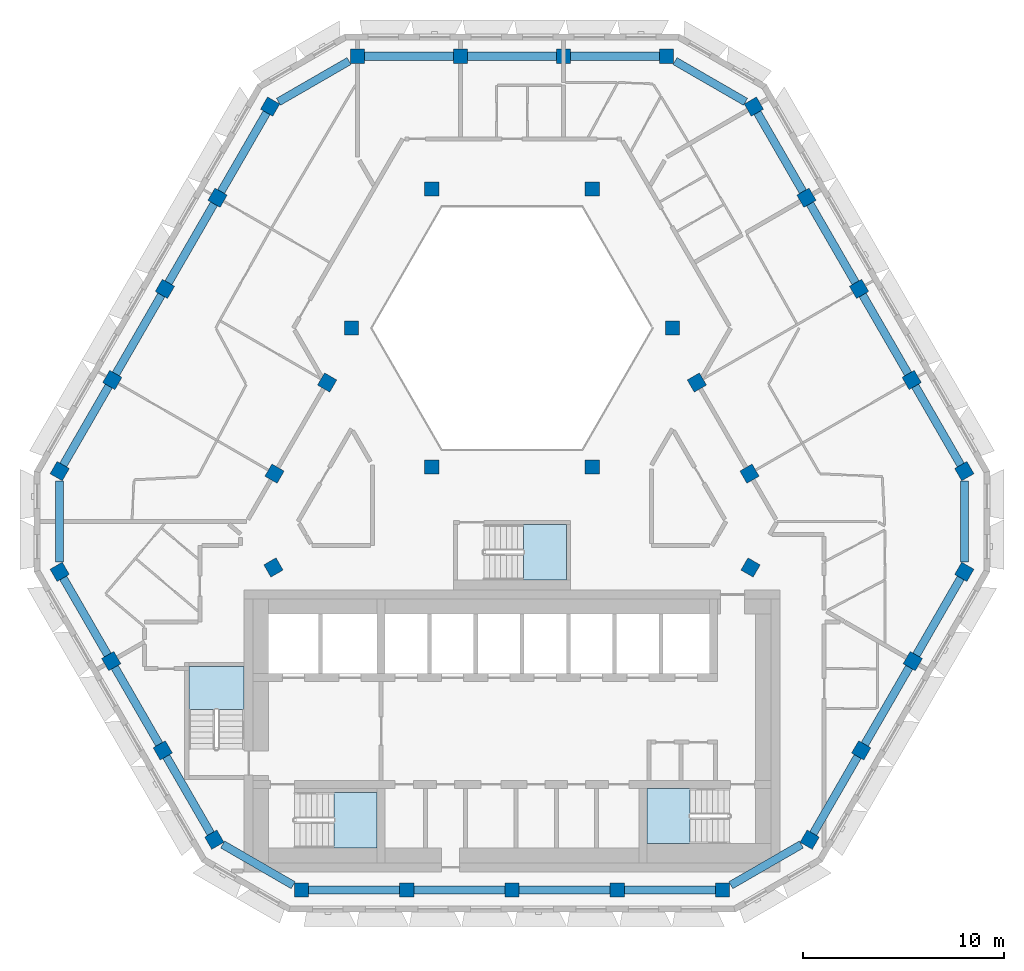
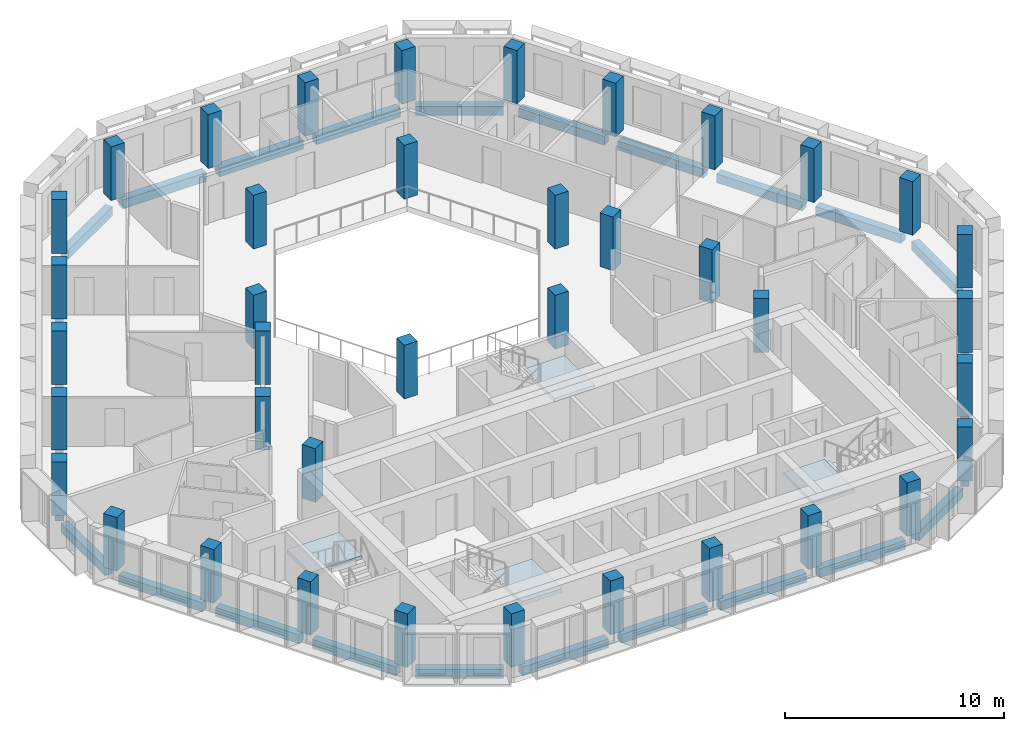
# One storey, part 1 of 16: 39 columns, 27 beams, 4 slabs, 4 elements without a shape of their own.
"""IFC4 building model written with IfcOpenShell, lengths in metres."""

from ifc_helpers import new_model, si_unit, direction, frame, origin, origin_2d, place, context, subcontext, project, spatial, polyline, rectangle, outline, extrude, material, layer, layer_set, material_profile, profile_set, type_object, element, aggregate, save


model = new_model("IFC4")

# Units and contexts
model_context = context("Model", 3, precision=1e-05, world=origin(), true_north=direction((0.0, 1.0)))
body_context = subcontext(model_context, "Body", "Model", "MODEL_VIEW")
ifc_project = project(units=[si_unit("LENGTHUNIT", "METRE"), si_unit("AREAUNIT", "SQUARE_METRE"), si_unit("VOLUMEUNIT", "CUBIC_METRE"), si_unit("PLANEANGLEUNIT", "RADIAN"), si_unit("MASSUNIT", "GRAM", prefix="KILO")], contexts=[model_context])

# Site, building, storey
site_placement = place(None, origin())
site = spatial("IfcSite", under=ifc_project, at=site_placement, CompositionType="ELEMENT")
building_placement = place(site_placement, origin())
building = spatial("IfcBuilding", under=site, at=building_placement, Name="Beryl Residences", CompositionType="ELEMENT")
storey_placement = place(building_placement, frame((0.0, 0.0, 226.800048828125)))
storey = spatial("IfcBuildingStorey", under=building, at=storey_placement, Name="L70", CompositionType="ELEMENT", Elevation=226.800048828125)

# Columns
ifc_material_1 = material(Name="Concrete C50/60", Category="concrete")
ifc_material_profile_1 = material_profile(ifc_material_1, rectangle(XDim=0.699951171875, YDim=0.699951171875, at=origin_2d()))
ifc_profile_set_1 = profile_set([ifc_material_profile_1], Name="Concrete C50/60")
column_type_1 = type_object("IfcColumnType", Name="C5 tube column 700 x 700 C50/60", PredefinedType="COLUMN", material=ifc_profile_set_1)
for number, where, z_axis, x_axis, name in (
    (1, (7.678955078125, 21.5, 0.0), (0.0, 0.0, 1.0), (-1.0, 0.0, 0.0), "C5-N1 L70"),
    (2, (2.56005859375, 21.5, 0.0), (0.0, 0.0, 1.0), (-1.0, 0.0, 0.0), "C5-N2 L70"),
    (3, (-2.55908203125, 21.5, 0.0), (0.0, 0.0, 1.0), (-1.0, 0.0, 0.0), "C5-N3 L70"),
    (4, (-7.677978515625, 21.5, 0.0), (0.0, 0.0, 1.0), (-1.0, 0.0, 0.0), "C5-N4 L70"),
    (5, (-12.009033203125, 19.0, 0.0), (0.0, 0.0, 1.0), (-0.499969769706, -0.866042856549, 0.0), "C5-NW1 L70"),
    (6, (-14.62109375, 14.47509765625, 0.0), (0.0, 0.0, 1.0), (-0.499969769706, -0.866042856549, 0.0), "C5-NW2 L70"),
    (7, (-17.23291015625, 9.949951171875, 0.0), (0.0, 0.0, 1.0), (-0.499969769706, -0.866042856549, 0.0), "C5-NW3 L70"),
    (8, (-19.845947265625, 5.425048828125, 0.0), (0.0, 0.0, 1.0), (-0.499969769706, -0.866042856549, 0.0), "C5-NW4 L70"),
    (9, (-22.4580078125, 0.89990234375, 0.0), (0.0, 0.0, 1.0), (-0.499969769706, -0.866042856549, 0.0), "C5-NW5 L70"),
    (10, (-22.458984375, -4.10009765625, 0.0), (0.0, 0.0, 1.0), (0.499984884929, -0.866034130299, 0.0), "C5-SW1 L70"),
    (11, (-19.89892578125, -8.532958984375, 0.0), (0.0, 0.0, 1.0), (0.499984884929, -0.866034130299, 0.0), "C5-SW2 L70"),
    (12, (-17.340087890625, -12.966064453125, 0.0), (0.0, 0.0, 1.0), (0.499984884929, -0.866034130299, 0.0), "C5-SW3 L70"),
    (13, (-14.781005859375, -17.39892578125, 0.0), (0.0, 0.0, 1.0), (0.499984884929, -0.866034130299, 0.0), "C5-SW4 L70"),
    (14, (-10.449951171875, -19.89990234375, 0.0), (0.0, 0.0, 1.0), (1.0, 0.0, 0.0), "C5-S1 L70"),
    (15, (-5.22509765625, -19.89990234375, 0.0), (0.0, 0.0, 1.0), (1.0, 0.0, 0.0), "C5-S2 L70"),
    (16, (0.0, -19.89990234375, 0.0), (0.0, 0.0, 1.0), (1.0, 0.0, 0.0), "C5-S3 L70"),
    (17, (5.22509765625, -19.89990234375, 0.0), (0.0, 0.0, 1.0), (1.0, 0.0, 0.0), "C5-S4 L70"),
    (18, (10.449951171875, -19.89990234375, 0.0), (0.0, 0.0, 1.0), (1.0, 0.0, 0.0), "C5-S5 L70"),
    (19, (14.780029296875, -17.39990234375, 0.0), (0.0, 0.0, 1.0), (0.499984884929, 0.866034130299, 0.0), "C5-SE1 L70"),
    (20, (17.339111328125, -12.967041015625, 0.0), (0.0, 0.0, 1.0), (0.499984884929, 0.866034130299, 0.0), "C5-SE2 L70"),
    (21, (19.89892578125, -8.533935546875, 0.0), (0.0, 0.0, 1.0), (0.499984884929, 0.866034130299, 0.0), "C5-SE3 L70"),
    (22, (22.4580078125, -4.10107421875, 0.0), (0.0, 0.0, 1.0), (0.499984884929, 0.866034130299, 0.0), "C5-SE4 L70"),
    (23, (22.4580078125, 0.89990234375, 0.0), (0.0, 0.0, 1.0), (-0.499969769706, 0.866042856549, 0.0), "C5-NE1 L70"),
    (24, (19.845947265625, 5.425048828125, 0.0), (0.0, 0.0, 1.0), (-0.499969769706, 0.866042856549, 0.0), "C5-NE2 L70"),
    (25, (17.23291015625, 9.949951171875, 0.0), (0.0, 0.0, 1.0), (-0.499969769706, 0.866042856549, 0.0), "C5-NE3 L70"),
    (26, (14.62109375, 14.47509765625, 0.0), (0.0, 0.0, 1.0), (-0.499969769706, 0.866042856549, 0.0), "C5-NE4 L70"),
    (27, (12.009033203125, 19.0, 0.0), (0.0, 0.0, 1.0), (-0.499969769706, 0.866042856549, 0.0), "C5-NE5 L70"),
):
    element("IfcColumn", number, at=place(storey_placement, frame(where, z_axis=z_axis, x_axis=x_axis)), inside=storey, type_object=column_type_1, Name=name, PredefinedType="COLUMN", context=body_context, shape_type="SweptSolid", body=[
        extrude(rectangle(XDim=0.699951171875, YDim=0.699951171875, at=origin_2d()), origin(), (0.0, 0.0, 1.0), 3.0),
    ])
ifc_material_2 = material(Name="Concrete C50/60", Category="concrete")
ifc_material_profile_2 = material_profile(ifc_material_2, rectangle(XDim=0.699951171875, YDim=0.699951171875, at=origin_2d()))
ifc_profile_set_2 = profile_set([ifc_material_profile_2], Name="Concrete C50/60")
column_type_2 = type_object("IfcColumnType", Name="IC5 interior column 700 x 700 C50/60", PredefinedType="COLUMN", material=ifc_profile_set_2)
for number, where, z_axis, x_axis, name in (
    (28, (-11.844970703125, -3.883056640625, 0.0), (0.0, 0.0, 1.0), (0.499984884929, -0.866034130299, 0.0), "IC5-M01 L70"),
    (29, (11.844970703125, -3.884033203125, 0.0), (0.0, 0.0, 1.0), (0.499984884929, 0.866034130299, 0.0), "IC5-M02 L70"),
    (30, (11.7919921875, 0.77490234375, 0.0), (0.0, 0.0, 1.0), (-0.499969769706, 0.866042856549, 0.0), "IC5-M03 L70"),
    (31, (3.98388671875, 1.10009765625, 0.0), (0.0, 0.0, 1.0), (1.0, 0.0, 0.0), "IC5-A04 L70"),
    (32, (9.178955078125, 5.300048828125, 0.0), (0.0, 0.0, 1.0), (-0.499969769706, 0.866042856549, 0.0), "IC5-M05 L70"),
    (33, (7.967041015625, 8.0, 0.0), (0.0, 0.0, 1.0), (1.0, 0.0, 0.0), "IC5-A06 L70"),
    (34, (3.98388671875, 14.89990234375, 0.0), (0.0, 0.0, 1.0), (1.0, 0.0, 0.0), "IC5-A07 L70"),
    (35, (-3.98388671875, 14.89990234375, 0.0), (0.0, 0.0, 1.0), (1.0, 0.0, 0.0), "IC5-A08 L70"),
    (36, (-7.967041015625, 8.0, 0.0), (0.0, 0.0, 1.0), (1.0, 0.0, 0.0), "IC5-A09 L70"),
    (37, (-9.178955078125, 5.300048828125, 0.0), (0.0, 0.0, 1.0), (-0.499969769706, -0.866042856549, 0.0), "IC5-M10 L70"),
    (38, (-3.98388671875, 1.10009765625, 0.0), (0.0, 0.0, 1.0), (1.0, 0.0, 0.0), "IC5-A11 L70"),
    (39, (-11.7919921875, 0.77490234375, 0.0), (0.0, 0.0, 1.0), (-0.499969769706, -0.866042856549, 0.0), "IC5-M12 L70"),
):
    element("IfcColumn", number, at=place(storey_placement, frame(where, z_axis=z_axis, x_axis=x_axis)), inside=storey, type_object=column_type_2, Name=name, PredefinedType="COLUMN", context=body_context, shape_type="SweptSolid", body=[
        extrude(rectangle(XDim=0.699951171875, YDim=0.699951171875, at=origin_2d()), origin(), (0.0, 0.0, 1.0), 3.0),
    ])

# Beams
ifc_material_3 = material(Name="Concrete C50/60", Category="concrete")
ifc_material_profile_3 = material_profile(ifc_material_3, rectangle(XDim=0.39990234375, YDim=0.5, at=origin_2d()))
ifc_profile_set_3 = profile_set([ifc_material_profile_3], Name="Concrete C50/60")
beam_type = type_object("IfcBeamType", Name="SB5 spandrel beam 400 x 500 C50/60", PredefinedType="SPANDREL", material=ifc_profile_set_3)
beam_1_placement = place(storey_placement, frame((7.3291015625, 21.5, -0.550048828125), z_axis=(-1.0, 0.0, 0.0), x_axis=(0.0, -1.0, 0.0)))
element("IfcBeam", 40, at=beam_1_placement, inside=storey, type_object=beam_type, Name="SB5 L70 N-0", PredefinedType="SPANDREL", context=body_context, shape_type="SweptSolid", body=[
    extrude(rectangle(XDim=0.39990234375, YDim=0.5, at=origin_2d()), origin(), (0.0, 0.0, 1.0), 4.419189453125),
])
for number, where, z_axis, x_axis, name in (
    (41, (2.2099609375, 21.5, -0.550048828125), (-1.0, 0.0, 0.0), (0.0, -1.0, 0.0), "SB5 L70 N-1"),
    (42, (-2.908935546875, 21.5, -0.550048828125), (-1.0, 0.0, 0.0), (0.0, -1.0, 0.0), "SB5 L70 N-2"),
):
    element("IfcBeam", number, at=place(storey_placement, frame(where, z_axis=z_axis, x_axis=x_axis)), inside=storey, type_object=beam_type, Name=name, PredefinedType="SPANDREL", context=body_context, shape_type="SweptSolid", body=[
        extrude(rectangle(XDim=0.39990234375, YDim=0.5, at=origin_2d()), origin(), (0.0, 0.0, 1.0), 4.4189453125),
    ])
beam_2_placement = place(storey_placement, frame((-8.092041015625, 21.260986328125, -0.550048828125), z_axis=(-0.866073013527, -0.499917528438, 0.0), x_axis=(0.499917528438, -0.866073013527, 0.0)))
element("IfcBeam", 43, at=beam_2_placement, inside=storey, type_object=beam_type, Name="SB5 L70 N-3", PredefinedType="SPANDREL", context=body_context, shape_type="SweptSolid", body=[
    extrude(rectangle(XDim=0.39990234375, YDim=0.5, at=origin_2d()), origin(), (0.0, 0.0, 1.0), 4.044677734375),
])
beam_3_placement = place(storey_placement, frame((-12.18408203125, 18.697021484375, -0.550048828125), z_axis=(-0.499893710643, -0.866086761277, 0.0), x_axis=(0.866086761277, -0.499893710643, 0.0)))
element("IfcBeam", 44, at=beam_3_placement, inside=storey, type_object=beam_type, Name="SB5 L70 NW-0", PredefinedType="SPANDREL", context=body_context, shape_type="SweptSolid", body=[
    extrude(rectangle(XDim=0.39990234375, YDim=0.5, at=origin_2d()), origin(), (0.0, 0.0, 1.0), 4.52490234375),
])
beam_4_placement = place(storey_placement, frame((-14.7958984375, 14.172119140625, -0.550048828125), z_axis=(-0.499910821401, -0.866076884951, 0.0), x_axis=(0.866076884951, -0.499910821401, 0.0)))
element("IfcBeam", 45, at=beam_4_placement, inside=storey, type_object=beam_type, Name="SB5 L70 NW-1", PredefinedType="SPANDREL", context=body_context, shape_type="SweptSolid", body=[
    extrude(rectangle(XDim=0.39990234375, YDim=0.5, at=origin_2d()), origin(), (0.0, 0.0, 1.0), 4.525146484375),
])
beam_5_placement = place(storey_placement, frame((-17.407958984375, 9.64697265625, -0.550048828125), z_axis=(-0.500055572588, -0.865993316558, 0.0), x_axis=(0.865993316558, -0.500055572588, 0.0)))
element("IfcBeam", 46, at=beam_5_placement, inside=storey, type_object=beam_type, Name="SB5 L70 NW-2", PredefinedType="SPANDREL", context=body_context, shape_type="SweptSolid", body=[
    extrude(rectangle(XDim=0.39990234375, YDim=0.5, at=origin_2d()), origin(), (0.0, 0.0, 1.0), 4.525390625),
])
beam_6_placement = place(storey_placement, frame((-20.02099609375, 5.1220703125, -0.550048828125), z_axis=(-0.499870351634, -0.866100243365, 0.0), x_axis=(0.866100243365, -0.499870351634, 0.0)))
element("IfcBeam", 47, at=beam_6_placement, inside=storey, type_object=beam_type, Name="SB5 L70 NW-3", PredefinedType="SPANDREL", context=body_context, shape_type="SweptSolid", body=[
    extrude(rectangle(XDim=0.39990234375, YDim=0.5, at=origin_2d()), origin(), (0.0, 0.0, 1.0), 4.525146484375),
])
beam_7_placement = place(storey_placement, frame((-22.4580078125, 0.422119140625, -0.550048828125), z_axis=(-0.000241472978, -0.999999970845, 0.0), x_axis=(0.999999970845, -0.000241472978, 0.0)))
element("IfcBeam", 48, at=beam_7_placement, inside=storey, type_object=beam_type, Name="SB5 L70 NW-4", PredefinedType="SPANDREL", context=body_context, shape_type="SweptSolid", body=[
    extrude(rectangle(XDim=0.39990234375, YDim=0.5, at=origin_2d()), origin(), (0.0, 0.0, 1.0), 4.044189453125),
])
beam_8_placement = place(storey_placement, frame((-22.283935546875, -4.403076171875, -0.550048828125), z_axis=(0.500084296963, -0.86597672944, 0.0), x_axis=(0.86597672944, 0.500084296963, 0.0)))
element("IfcBeam", 49, at=beam_8_placement, inside=storey, type_object=beam_type, Name="SB5 L70 SW-0", PredefinedType="SPANDREL", context=body_context, shape_type="SweptSolid", body=[
    extrude(rectangle(XDim=0.39990234375, YDim=0.5, at=origin_2d()), origin(), (0.0, 0.0, 1.0), 4.419189453125),
])
beam_9_placement = place(storey_placement, frame((-19.72412109375, -8.8359375, -0.550048828125), z_axis=(0.49993607075, -0.866062310208, 0.0), x_axis=(0.866062310208, 0.49993607075, 0.0)))
element("IfcBeam", 50, at=beam_9_placement, inside=storey, type_object=beam_type, Name="SB5 L70 SW-1", PredefinedType="SPANDREL", context=body_context, shape_type="SweptSolid", body=[
    extrude(rectangle(XDim=0.39990234375, YDim=0.5, at=origin_2d()), origin(), (0.0, 0.0, 1.0), 4.4189453125),
])
beam_10_placement = place(storey_placement, frame((-17.1650390625, -13.26904296875, -0.550048828125), z_axis=(0.499918550948, -0.86607242331, 0.0), x_axis=(0.86607242331, 0.499918550948, 0.0)))
element("IfcBeam", 51, at=beam_10_placement, inside=storey, type_object=beam_type, Name="SB5 L70 SW-2", PredefinedType="SPANDREL", context=body_context, shape_type="SweptSolid", body=[
    extrude(rectangle(XDim=0.39990234375, YDim=0.5, at=origin_2d()), origin(), (0.0, 0.0, 1.0), 4.418701171875),
])
beam_11_placement = place(storey_placement, frame((-14.366943359375, -17.637939453125, -0.550048828125), z_axis=(0.865968468779, -0.500098601359, 0.0), x_axis=(0.500098601359, 0.865968468779, 0.0)))
element("IfcBeam", 52, at=beam_11_placement, inside=storey, type_object=beam_type, Name="SB5 L70 SW-3", PredefinedType="SPANDREL", context=body_context, shape_type="SweptSolid", body=[
    extrude(rectangle(XDim=0.39990234375, YDim=0.5, at=origin_2d()), origin(), (0.0, 0.0, 1.0), 4.045166015625),
])
beam_12_placement = place(storey_placement, frame((-10.10009765625, -19.89990234375, -0.550048828125), z_axis=(1.0, 0.0, 0.0), x_axis=(0.0, 1.0, 0.0)))
element("IfcBeam", 53, at=beam_12_placement, inside=storey, type_object=beam_type, Name="SB5 L70 S-0", PredefinedType="SPANDREL", context=body_context, shape_type="SweptSolid", body=[
    extrude(rectangle(XDim=0.39990234375, YDim=0.5, at=origin_2d()), origin(), (0.0, 0.0, 1.0), 4.525146484375),
])
for number, where, z_axis, x_axis, name in (
    (54, (-4.875, -19.89990234375, -0.550048828125), (1.0, 0.0, 0.0), (0.0, 1.0, 0.0), "SB5 L70 S-1"),
    (55, (0.35009765625, -19.89990234375, -0.550048828125), (1.0, 0.0, 0.0), (0.0, 1.0, 0.0), "SB5 L70 S-2"),
):
    element("IfcBeam", number, at=place(storey_placement, frame(where, z_axis=z_axis, x_axis=x_axis)), inside=storey, type_object=beam_type, Name=name, PredefinedType="SPANDREL", context=body_context, shape_type="SweptSolid", body=[
        extrude(rectangle(XDim=0.39990234375, YDim=0.5, at=origin_2d()), origin(), (0.0, 0.0, 1.0), 4.52490234375),
    ])
beam_13_placement = place(storey_placement, frame((5.574951171875, -19.89990234375, -0.550048828125), z_axis=(1.0, 0.0, 0.0), x_axis=(0.0, 1.0, 0.0)))
element("IfcBeam", 56, at=beam_13_placement, inside=storey, type_object=beam_type, Name="SB5 L70 S-3", PredefinedType="SPANDREL", context=body_context, shape_type="SweptSolid", body=[
    extrude(rectangle(XDim=0.39990234375, YDim=0.5, at=origin_2d()), origin(), (0.0, 0.0, 1.0), 4.525146484375),
])
beam_14_placement = place(storey_placement, frame((10.864013671875, -19.660888671875, -0.550048828125), z_axis=(0.866012652573, 0.500022085096, 0.0), x_axis=(-0.500022085096, 0.866012652573, 0.0)))
element("IfcBeam", 57, at=beam_14_placement, inside=storey, type_object=beam_type, Name="SB5 L70 S-4", PredefinedType="SPANDREL", context=body_context, shape_type="SweptSolid", body=[
    extrude(rectangle(XDim=0.39990234375, YDim=0.5, at=origin_2d()), origin(), (0.0, 0.0, 1.0), 4.043701171875),
])
beam_15_placement = place(storey_placement, frame((14.955078125, -17.096923828125, -0.550048828125), z_axis=(0.499918550948, 0.86607242331, 0.0), x_axis=(-0.86607242331, 0.499918550948, 0.0)))
element("IfcBeam", 58, at=beam_15_placement, inside=storey, type_object=beam_type, Name="SB5 L70 SE-0", PredefinedType="SPANDREL", context=body_context, shape_type="SweptSolid", body=[
    extrude(rectangle(XDim=0.39990234375, YDim=0.5, at=origin_2d()), origin(), (0.0, 0.0, 1.0), 4.418701171875),
])
beam_16_placement = place(storey_placement, frame((17.513916015625, -12.6640625, -0.550048828125), z_axis=(0.500101800387, 0.865966621326, 0.0), x_axis=(-0.865966621326, 0.500101800387, 0.0)))
element("IfcBeam", 59, at=beam_16_placement, inside=storey, type_object=beam_type, Name="SB5 L70 SE-1", PredefinedType="SPANDREL", context=body_context, shape_type="SweptSolid", body=[
    extrude(rectangle(XDim=0.39990234375, YDim=0.5, at=origin_2d()), origin(), (0.0, 0.0, 1.0), 4.41943359375),
])
beam_17_placement = place(storey_placement, frame((20.073974609375, -8.23095703125, -0.550048828125), z_axis=(0.499918550948, 0.86607242331, 0.0), x_axis=(-0.86607242331, 0.499918550948, 0.0)))
element("IfcBeam", 60, at=beam_17_placement, inside=storey, type_object=beam_type, Name="SB5 L70 SE-2", PredefinedType="SPANDREL", context=body_context, shape_type="SweptSolid", body=[
    extrude(rectangle(XDim=0.39990234375, YDim=0.5, at=origin_2d()), origin(), (0.0, 0.0, 1.0), 4.418701171875),
])
beam_18_placement = place(storey_placement, frame((22.4580078125, -3.623046875, -0.550048828125), z_axis=(0.0, 1.0, 0.0), x_axis=(-1.0, 0.0, 0.0)))
element("IfcBeam", 61, at=beam_18_placement, inside=storey, type_object=beam_type, Name="SB5 L70 SE-3", PredefinedType="SPANDREL", context=body_context, shape_type="SweptSolid", body=[
    extrude(rectangle(XDim=0.39990234375, YDim=0.5, at=origin_2d()), origin(), (0.0, 0.0, 1.0), 4.045166015625),
])
beam_19_placement = place(storey_placement, frame((22.282958984375, 1.202880859375, -0.550048828125), z_axis=(-0.499870351634, 0.866100243365, 0.0), x_axis=(-0.866100243365, -0.499870351634, 0.0)))
element("IfcBeam", 62, at=beam_19_placement, inside=storey, type_object=beam_type, Name="SB5 L70 NE-0", PredefinedType="SPANDREL", context=body_context, shape_type="SweptSolid", body=[
    extrude(rectangle(XDim=0.39990234375, YDim=0.5, at=origin_2d()), origin(), (0.0, 0.0, 1.0), 4.525146484375),
])
beam_20_placement = place(storey_placement, frame((19.6708984375, 5.72802734375, -0.550048828125), z_axis=(-0.500055572588, 0.865993316558, 0.0), x_axis=(-0.865993316558, -0.500055572588, 0.0)))
element("IfcBeam", 63, at=beam_20_placement, inside=storey, type_object=beam_type, Name="SB5 L70 NE-1", PredefinedType="SPANDREL", context=body_context, shape_type="SweptSolid", body=[
    extrude(rectangle(XDim=0.39990234375, YDim=0.5, at=origin_2d()), origin(), (0.0, 0.0, 1.0), 4.525390625),
])
beam_21_placement = place(storey_placement, frame((17.05810546875, 10.2529296875, -0.550048828125), z_axis=(-0.499910821401, 0.866076884951, 0.0), x_axis=(-0.866076884951, -0.499910821401, 0.0)))
element("IfcBeam", 64, at=beam_21_placement, inside=storey, type_object=beam_type, Name="SB5 L70 NE-2", PredefinedType="SPANDREL", context=body_context, shape_type="SweptSolid", body=[
    extrude(rectangle(XDim=0.39990234375, YDim=0.5, at=origin_2d()), origin(), (0.0, 0.0, 1.0), 4.525146484375),
])
beam_22_placement = place(storey_placement, frame((14.446044921875, 14.778076171875, -0.550048828125), z_axis=(-0.499893710643, 0.866086761277, 0.0), x_axis=(-0.866086761277, -0.499893710643, 0.0)))
element("IfcBeam", 65, at=beam_22_placement, inside=storey, type_object=beam_type, Name="SB5 L70 NE-3", PredefinedType="SPANDREL", context=body_context, shape_type="SweptSolid", body=[
    extrude(rectangle(XDim=0.39990234375, YDim=0.5, at=origin_2d()), origin(), (0.0, 0.0, 1.0), 4.52490234375),
])
beam_23_placement = place(storey_placement, frame((11.594970703125, 19.239013671875, -0.550048828125), z_axis=(-0.866012652573, 0.500022085096, 0.0), x_axis=(-0.500022085096, -0.866012652573, 0.0)))
element("IfcBeam", 66, at=beam_23_placement, inside=storey, type_object=beam_type, Name="SB5 L70 NE-4", PredefinedType="SPANDREL", context=body_context, shape_type="SweptSolid", body=[
    extrude(rectangle(XDim=0.39990234375, YDim=0.5, at=origin_2d()), origin(), (0.0, 0.0, 1.0), 4.043701171875),
])

# Stair, slab
ifc_material_4 = material(Name="Concrete C40/50", Category="concrete")
stair_type = type_object("IfcStairType", Name="ST1 protected exit stair, half-turn, 1300 mm flights", PredefinedType="HALF_TURN_STAIR", material=ifc_material_4)
stair_1_placement = place(storey_placement, origin())
stair_1 = element("IfcStair", 67, at=stair_1_placement, inside=storey, type_object=stair_type, Name="L70 PROTECTED EXIT STAIR ST-1", PredefinedType="HALF_TURN_STAIR")
ifc_material_5 = material(Name="Concrete C40/50", Category="concrete")
ifc_layer = layer(ifc_material_5, 0.199951171875)
ifc_layer_set = layer_set([ifc_layer], Name="SLD1 stair landing 200 mm")
slab_type = type_object("IfcSlabType", Name="SLD1 stair landing 200 mm", PredefinedType="LANDING", material=ifc_layer_set)
slab_1_placement = place(storey_placement, frame((0.0, 0.0, 1.300048828125)))
slab_1 = element("IfcSlab", 68, at=slab_1_placement, type_object=slab_type, Name="ST-1 landing 1", PredefinedType="LANDING", context=body_context, shape_type="SweptSolid", body=[
    extrude(outline(polyline([(-8.840087890625, -17.800048828125), (-6.699951171875, -17.800048828125), (-6.699951171875, -15.050048828125), (-8.840087890625, -15.050048828125), (-8.840087890625, -17.800048828125)])), origin(), (0.0, 0.0, 1.0), 0.199951171875),
])
aggregate(stair_1, [slab_1])

stair_2_placement = place(storey_placement, origin())
stair_2 = element("IfcStair", 69, at=stair_2_placement, inside=storey, type_object=stair_type, Name="L70 PROTECTED EXIT STAIR ST-2", PredefinedType="HALF_TURN_STAIR")
slab_2_placement = place(storey_placement, frame((0.0, 0.0, 1.300048828125)))
slab_2 = element("IfcSlab", 70, at=slab_2_placement, type_object=slab_type, Name="ST-2 landing 1", PredefinedType="LANDING", context=body_context, shape_type="SweptSolid", body=[
    extrude(outline(polyline([(-13.300048828125, -10.93994140625), (-13.300048828125, -8.800048828125), (-16.050048828125, -8.800048828125), (-16.050048828125, -10.93994140625), (-13.300048828125, -10.93994140625)])), origin(), (0.0, 0.0, 1.0), 0.199951171875),
])
aggregate(stair_2, [slab_2])

stair_3_placement = place(storey_placement, origin())
stair_3 = element("IfcStair", 71, at=stair_3_placement, inside=storey, type_object=stair_type, Name="L70 PROTECTED EXIT STAIR ST-3", PredefinedType="HALF_TURN_STAIR")
slab_3_placement = place(storey_placement, frame((0.0, 0.0, 1.300048828125)))
slab_3 = element("IfcSlab", 72, at=slab_3_placement, type_object=slab_type, Name="ST-3 landing 1", PredefinedType="LANDING", context=body_context, shape_type="SweptSolid", body=[
    extrude(outline(polyline([(8.840087890625, -14.85009765625), (6.699951171875, -14.85009765625), (6.699951171875, -17.60009765625), (8.840087890625, -17.60009765625), (8.840087890625, -14.85009765625)])), origin(), (0.0, 0.0, 1.0), 0.199951171875),
])
aggregate(stair_3, [slab_3])

stair_4_placement = place(storey_placement, origin())
stair_4 = element("IfcStair", 73, at=stair_4_placement, inside=storey, type_object=stair_type, Name="L70 PROTECTED EXIT STAIR ST-4", PredefinedType="HALF_TURN_STAIR")
slab_4_placement = place(storey_placement, frame((0.0, 0.0, 1.300048828125)))
slab_4 = element("IfcSlab", 74, at=slab_4_placement, type_object=slab_type, Name="ST-4 landing 1", PredefinedType="LANDING", context=body_context, shape_type="SweptSolid", body=[
    extrude(outline(polyline([(0.56005859375, -4.5), (2.699951171875, -4.5), (2.699951171875, -1.75), (0.56005859375, -1.75), (0.56005859375, -4.5)])), origin(), (0.0, 0.0, 1.0), 0.199951171875),
])
aggregate(stair_4, [slab_4])

save(model, "model.ifc")
